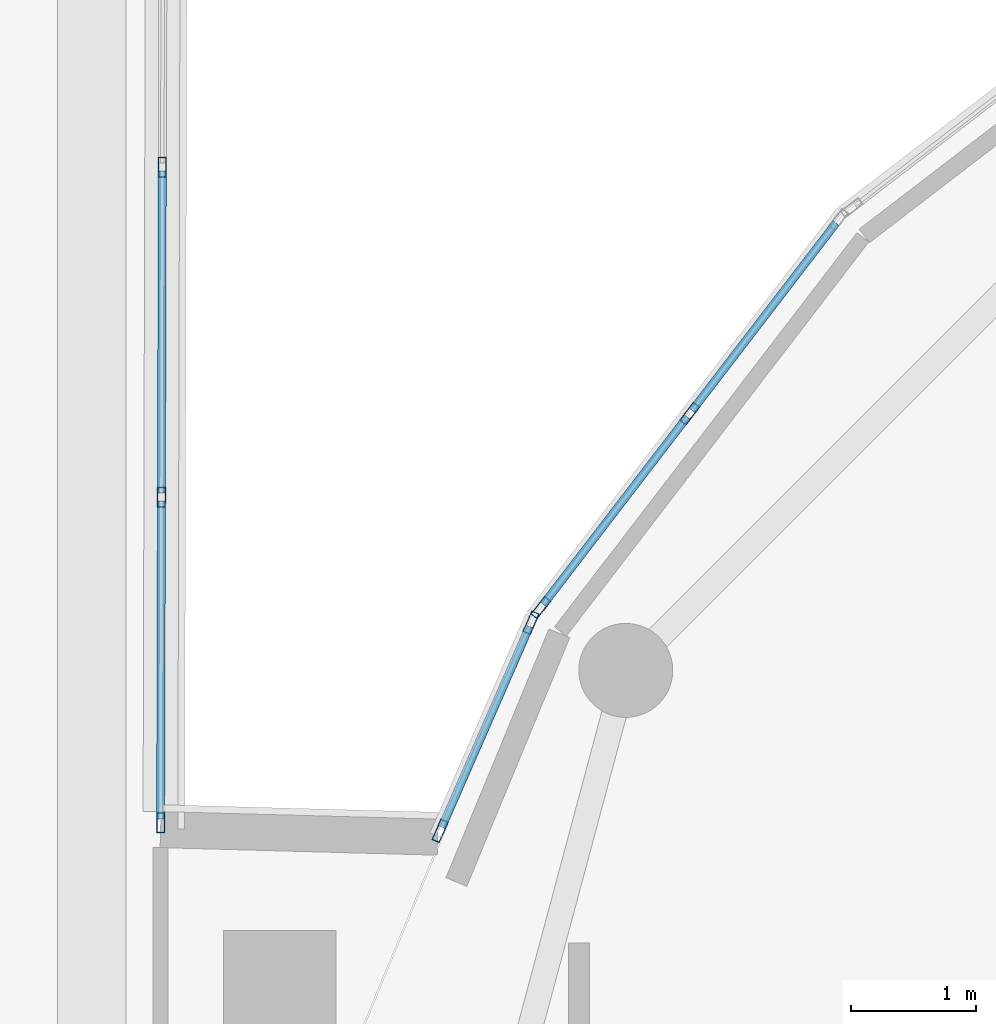
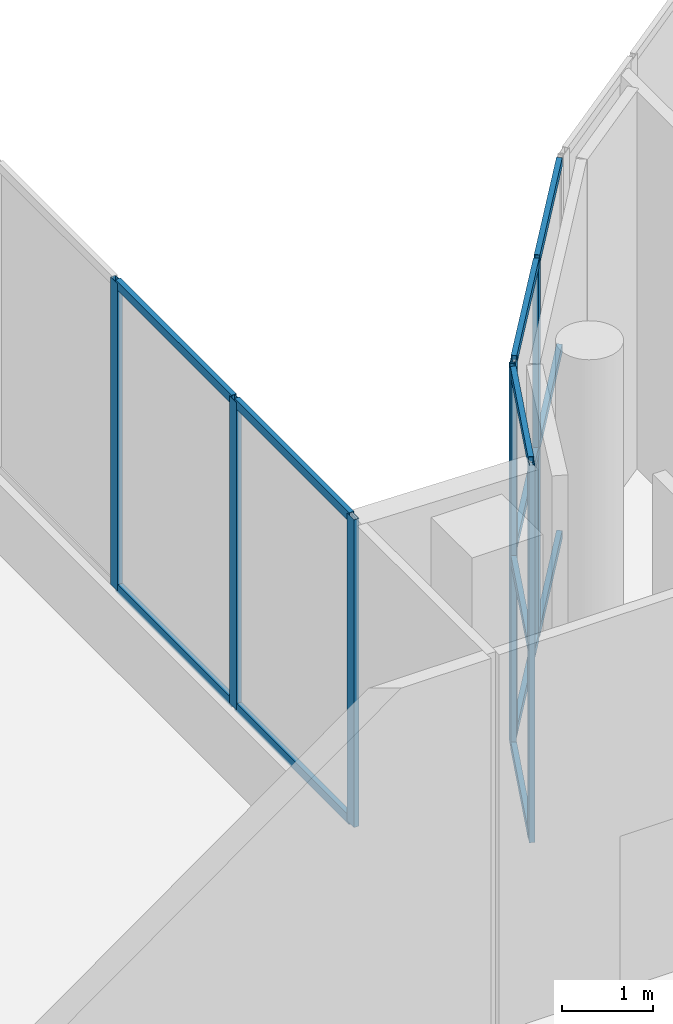
# One storey, part 56 of 158: 20 members, 3 elements without a shape of their own.
"""IFC4 building model written with IfcOpenShell, lengths in metres."""

from ifc_helpers import new_model, si_unit, direction, frame, origin, origin_2d, place, context, subcontext, project, spatial, hollow_rectangle, extrude, material, material_profile, profile_set, type_object, element, aggregate, save


model = new_model("IFC4")

# Units and contexts
model_context = context("Model", 3, precision=1e-05, world=origin(), true_north=direction((0.0, 1.0)))
body_context = subcontext(model_context, "Body", "Model", "MODEL_VIEW")
ifc_project = project(units=[si_unit("LENGTHUNIT", "METRE"), si_unit("AREAUNIT", "SQUARE_METRE"), si_unit("VOLUMEUNIT", "CUBIC_METRE"), si_unit("PLANEANGLEUNIT", "RADIAN"), si_unit("MASSUNIT", "GRAM", prefix="KILO")], contexts=[model_context])

# Site, building, storey
site_placement = place(None, origin())
site = spatial("IfcSite", under=ifc_project, at=site_placement, CompositionType="ELEMENT")
building_placement = place(site_placement, origin())
building = spatial("IfcBuilding", under=site, at=building_placement, Name="Selatvlak General Hospital", CompositionType="ELEMENT")
storey_placement = place(building_placement, origin())
storey = spatial("IfcBuildingStorey", under=building, at=storey_placement, Name="L00", CompositionType="ELEMENT", Elevation=0.0)

# Curtain wall, members
ifc_material_1 = material(Name="Solar-control Low-E double glazing", Category="glass")
curtain_wall_type_1 = type_object("IfcCurtainWallType", Name="CW-CW-02", PredefinedType="USERDEFINED", material=ifc_material_1)
curtain_wall_1_placement = place(storey_placement, origin())
curtain_wall_1 = element("IfcCurtainWall", 1, at=curtain_wall_1_placement, inside=storey, type_object=curtain_wall_type_1, Name="Glazed facade curtain wall CW-L00-0107", ObjectType="UNITISED CURTAIN WALL", PredefinedType="USERDEFINED")
ifc_material_2 = material(Name="Dark anodised aluminium mullion", Category="aluminium")
ifc_material_profile_1 = material_profile(ifc_material_2, hollow_rectangle(XDim=0.06494140625, YDim=0.159912109375, WallThickness=0.00390625, at=origin_2d()), Name="AL-MUL 65x160x4")
ifc_profile_set_1 = profile_set([ifc_material_profile_1], Name="Dark anodised aluminium mullion")
member_type_1 = type_object("IfcMemberType", Name="CWM-01", PredefinedType="MULLION", material=ifc_profile_set_1)
member_1_placement = place(storey_placement, frame((81.61328125, 65.341552734375, 0.93994140625), z_axis=(0.0, 0.0, 1.0), x_axis=(0.999996795401, -0.002531637448, 0.0)))
member_1 = element("IfcMember", 2, at=member_1_placement, type_object=member_type_1, Name="CW-02 mullion 2", PredefinedType="MULLION", context=body_context, shape_type="SweptSolid", body=[
    extrude(hollow_rectangle(XDim=0.06494140625, YDim=0.159912109375, WallThickness=0.00390625, at=origin_2d()), origin(), (0.0, 0.0, 1.0), 4.14013671875),
])
member_2_placement = place(storey_placement, frame((81.606689453125, 62.708251953125, 0.93994140625), z_axis=(0.0, 0.0, 1.0), x_axis=(0.999996795401, -0.002531637448, 0.0)))
member_2 = element("IfcMember", 3, at=member_2_placement, type_object=member_type_1, Name="CW-02 mullion 3", PredefinedType="MULLION", context=body_context, shape_type="SweptSolid", body=[
    extrude(hollow_rectangle(XDim=0.06494140625, YDim=0.159912109375, WallThickness=0.00390625, at=origin_2d()), origin(), (0.0, 0.0, 1.0), 4.14013671875),
])
member_3_placement = place(storey_placement, frame((81.60009765625, 60.107421875, 0.93994140625), z_axis=(0.0, 0.0, 1.0), x_axis=(0.999996795401, -0.002531637448, 0.0)))
member_3 = element("IfcMember", 4, at=member_3_placement, type_object=member_type_1, Name="CW-02 mullion 4", PredefinedType="MULLION", context=body_context, shape_type="SweptSolid", body=[
    extrude(hollow_rectangle(XDim=0.06494140625, YDim=0.159912109375, WallThickness=0.00390625, at=origin_2d()), origin(), (0.0, 0.0, 1.0), 4.14013671875),
])

curtain_wall_type_2 = type_object("IfcCurtainWallType", Name="CW-CW-05", PredefinedType="USERDEFINED", material=ifc_material_1)
curtain_wall_2_placement = place(storey_placement, origin())
curtain_wall_2 = element("IfcCurtainWall", 5, at=curtain_wall_2_placement, inside=storey, type_object=curtain_wall_type_2, Name="Glazed facade curtain wall CW-L00-0094", ObjectType="STICK GLAZING WALL", PredefinedType="USERDEFINED")
ifc_material_profile_2 = material_profile(ifc_material_2, hollow_rectangle(XDim=0.06494140625, YDim=0.179931640625, WallThickness=0.00439453125, at=origin_2d()), Name="AL-MUL 65x180x4.5")
ifc_profile_set_2 = profile_set([ifc_material_profile_2], Name="Dark anodised aluminium mullion")
member_type_2 = type_object("IfcMemberType", Name="CWM-02", PredefinedType="MULLION", material=ifc_profile_set_2)
member_4_placement = place(storey_placement, frame((83.8310546875, 60.043701171875, 0.0), z_axis=(0.0, 0.0, 1.0), x_axis=(-0.916340540379, 0.400399817754, 0.0)))
member_4 = element("IfcMember", 6, at=member_4_placement, type_object=member_type_2, Name="CW-05 mullion 1", PredefinedType="MULLION", context=body_context, shape_type="SweptSolid", body=[
    extrude(hollow_rectangle(XDim=0.06494140625, YDim=0.179931640625, WallThickness=0.00439453125, at=origin_2d()), origin(), (0.0, 0.0, 1.0), 5.080078125),
])
member_5_placement = place(storey_placement, frame((84.556884765625, 61.705322265625, 0.0), z_axis=(0.0, 0.0, 1.0), x_axis=(-0.916340540379, 0.400399817754, 0.0)))
member_5 = element("IfcMember", 7, at=member_5_placement, type_object=member_type_2, Name="CW-05 mullion 2", PredefinedType="MULLION", context=body_context, shape_type="SweptSolid", body=[
    extrude(hollow_rectangle(XDim=0.06494140625, YDim=0.179931640625, WallThickness=0.00439453125, at=origin_2d()), origin(), (0.0, 0.0, 1.0), 5.080078125),
])

curtain_wall_type_3 = type_object("IfcCurtainWallType", Name="CW-CW-04", PredefinedType="USERDEFINED", material=ifc_material_1)
curtain_wall_3_placement = place(storey_placement, origin())
curtain_wall_3 = element("IfcCurtainWall", 8, at=curtain_wall_3_placement, inside=storey, type_object=curtain_wall_type_3, Name="Glazed facade curtain wall CW-L00-0095", ObjectType="STICK GLAZING WALL", PredefinedType="USERDEFINED")
member_6_placement = place(storey_placement, frame((84.634765625, 61.82666015625, 0.0), z_axis=(0.0, 0.0, 1.0), x_axis=(-0.793232853917, 0.608918417743, 0.0)))
member_6 = element("IfcMember", 9, at=member_6_placement, type_object=member_type_2, Name="CW-04 mullion 1", PredefinedType="MULLION", context=body_context, shape_type="SweptSolid", body=[
    extrude(hollow_rectangle(XDim=0.06494140625, YDim=0.179931640625, WallThickness=0.00439453125, at=origin_2d()), origin(), (0.0, 0.0, 1.0), 5.080078125),
])
member_7_placement = place(storey_placement, frame((85.822509765625, 63.3740234375, 0.0), z_axis=(0.0, 0.0, 1.0), x_axis=(-0.793232853917, 0.608918417743, 0.0)))
member_7 = element("IfcMember", 10, at=member_7_placement, type_object=member_type_2, Name="CW-04 mullion 2", PredefinedType="MULLION", context=body_context, shape_type="SweptSolid", body=[
    extrude(hollow_rectangle(XDim=0.06494140625, YDim=0.179931640625, WallThickness=0.00439453125, at=origin_2d()), origin(), (0.0, 0.0, 1.0), 5.080078125),
])

# Member
ifc_material_profile_3 = material_profile(ifc_material_2, hollow_rectangle(XDim=0.06494140625, YDim=0.1201171875, WallThickness=0.00390625, at=origin_2d()), Name="AL-TRN 65x120x4")
ifc_profile_set_3 = profile_set([ifc_material_profile_3], Name="Dark anodised aluminium mullion")
member_type_3 = type_object("IfcMemberType", Name="CWT-01", PredefinedType="USERDEFINED", material=ifc_profile_set_3)
member_8_placement = place(storey_placement, frame((83.843994140625, 60.073486328125, 0.032470703125), z_axis=(0.400364592427, 0.916355931465, 0.0), x_axis=(-0.916355931465, 0.400364592427, 0.0)))
member_8 = element("IfcMember", 11, at=member_8_placement, type_object=member_type_3, Name="CW-05 transom 1.1", ObjectType="TRANSOM", PredefinedType="USERDEFINED", context=body_context, shape_type="SweptSolid", body=[
    extrude(hollow_rectangle(XDim=0.06494140625, YDim=0.1201171875, WallThickness=0.00390625, at=origin_2d()), origin(), (0.0, 0.0, 1.0), 1.748291015625),
])

member_9_placement = place(storey_placement, frame((83.843994140625, 60.073486328125, 2.5400390625), z_axis=(0.400364592427, 0.916355931465, 0.0), x_axis=(-0.916355931465, 0.400364592427, 0.0)))
member_9 = element("IfcMember", 12, at=member_9_placement, type_object=member_type_3, Name="CW-05 transom 1.2", ObjectType="TRANSOM", PredefinedType="USERDEFINED", context=body_context, shape_type="SweptSolid", body=[
    extrude(hollow_rectangle(XDim=0.06494140625, YDim=0.1201171875, WallThickness=0.00390625, at=origin_2d()), origin(), (0.0, 0.0, 1.0), 1.748291015625),
])

member_10_placement = place(storey_placement, frame((83.843994140625, 60.073486328125, 5.047607421875), z_axis=(0.400364592427, 0.916355931465, 0.0), x_axis=(-0.916355931465, 0.400364592427, 0.0)))
member_10 = element("IfcMember", 13, at=member_10_placement, type_object=member_type_3, Name="CW-05 transom 1.3", ObjectType="TRANSOM", PredefinedType="USERDEFINED", context=body_context, shape_type="SweptSolid", body=[
    extrude(hollow_rectangle(XDim=0.06494140625, YDim=0.1201171875, WallThickness=0.00390625, at=origin_2d()), origin(), (0.0, 0.0, 1.0), 1.748291015625),
])

aggregate(curtain_wall_2, [member_4, member_5, member_8, member_9, member_10])

member_11_placement = place(storey_placement, frame((84.654541015625, 61.8525390625, 0.032470703125), z_axis=(0.608953326487, 0.793206055297, 0.0), x_axis=(-0.793206055297, 0.608953326487, 0.0)))
member_11 = element("IfcMember", 14, at=member_11_placement, type_object=member_type_3, Name="CW-04 transom 1.1", ObjectType="TRANSOM", PredefinedType="USERDEFINED", context=body_context, shape_type="SweptSolid", body=[
    extrude(hollow_rectangle(XDim=0.06494140625, YDim=0.1201171875, WallThickness=0.00390625, at=origin_2d()), origin(), (0.0, 0.0, 1.0), 1.885498046875),
])

member_12_placement = place(storey_placement, frame((84.654541015625, 61.8525390625, 2.5400390625), z_axis=(0.608953326487, 0.793206055297, 0.0), x_axis=(-0.793206055297, 0.608953326487, 0.0)))
member_12 = element("IfcMember", 15, at=member_12_placement, type_object=member_type_3, Name="CW-04 transom 1.2", ObjectType="TRANSOM", PredefinedType="USERDEFINED", context=body_context, shape_type="SweptSolid", body=[
    extrude(hollow_rectangle(XDim=0.06494140625, YDim=0.1201171875, WallThickness=0.00390625, at=origin_2d()), origin(), (0.0, 0.0, 1.0), 1.885498046875),
])

member_13_placement = place(storey_placement, frame((84.654541015625, 61.8525390625, 5.047607421875), z_axis=(0.608953326487, 0.793206055297, 0.0), x_axis=(-0.793206055297, 0.608953326487, 0.0)))
member_13 = element("IfcMember", 16, at=member_13_placement, type_object=member_type_3, Name="CW-04 transom 1.3", ObjectType="TRANSOM", PredefinedType="USERDEFINED", context=body_context, shape_type="SweptSolid", body=[
    extrude(hollow_rectangle(XDim=0.06494140625, YDim=0.1201171875, WallThickness=0.00390625, at=origin_2d()), origin(), (0.0, 0.0, 1.0), 1.885498046875),
])

member_14_placement = place(storey_placement, frame((85.84228515625, 63.399658203125, 0.032470703125), z_axis=(0.608890787968, 0.793254062913, 0.0), x_axis=(-0.793254062913, 0.608890787968, 0.0)))
member_14 = element("IfcMember", 17, at=member_14_placement, type_object=member_type_3, Name="CW-04 transom 2.1", ObjectType="TRANSOM", PredefinedType="USERDEFINED", context=body_context, shape_type="SweptSolid", body=[
    extrude(hollow_rectangle(XDim=0.06494140625, YDim=0.1201171875, WallThickness=0.00390625, at=origin_2d()), origin(), (0.0, 0.0, 1.0), 1.8857421875),
])

member_15_placement = place(storey_placement, frame((85.84228515625, 63.399658203125, 2.5400390625), z_axis=(0.608890787968, 0.793254062913, 0.0), x_axis=(-0.793254062913, 0.608890787968, 0.0)))
member_15 = element("IfcMember", 18, at=member_15_placement, type_object=member_type_3, Name="CW-04 transom 2.2", ObjectType="TRANSOM", PredefinedType="USERDEFINED", context=body_context, shape_type="SweptSolid", body=[
    extrude(hollow_rectangle(XDim=0.06494140625, YDim=0.1201171875, WallThickness=0.00390625, at=origin_2d()), origin(), (0.0, 0.0, 1.0), 1.8857421875),
])

member_16_placement = place(storey_placement, frame((85.84228515625, 63.399658203125, 5.047607421875), z_axis=(0.608890787968, 0.793254062913, 0.0), x_axis=(-0.793254062913, 0.608890787968, 0.0)))
member_16 = element("IfcMember", 19, at=member_16_placement, type_object=member_type_3, Name="CW-04 transom 2.3", ObjectType="TRANSOM", PredefinedType="USERDEFINED", context=body_context, shape_type="SweptSolid", body=[
    extrude(hollow_rectangle(XDim=0.06494140625, YDim=0.1201171875, WallThickness=0.00390625, at=origin_2d()), origin(), (0.0, 0.0, 1.0), 1.8857421875),
])

aggregate(curtain_wall_3, [member_6, member_7, member_11, member_12, member_13, member_14, member_15, member_16])

member_17_placement = place(storey_placement, frame((81.61328125, 65.30908203125, 0.972412109375), z_axis=(-0.002566531471, -0.999996706453, 0.0), x_axis=(0.999996706453, -0.002566531471, 0.0)))
member_17 = element("IfcMember", 20, at=member_17_placement, type_object=member_type_3, Name="CW-02 transom 2.1", ObjectType="TRANSOM", PredefinedType="USERDEFINED", context=body_context, shape_type="SweptSolid", body=[
    extrude(hollow_rectangle(XDim=0.06494140625, YDim=0.1201171875, WallThickness=0.00390625, at=origin_2d()), origin(), (0.0, 0.0, 1.0), 2.568359375),
])

member_18_placement = place(storey_placement, frame((81.61328125, 65.30908203125, 5.047607421875), z_axis=(-0.002566531471, -0.999996706453, 0.0), x_axis=(0.999996706453, -0.002566531471, 0.0)))
member_18 = element("IfcMember", 21, at=member_18_placement, type_object=member_type_3, Name="CW-02 transom 2.2", ObjectType="TRANSOM", PredefinedType="USERDEFINED", context=body_context, shape_type="SweptSolid", body=[
    extrude(hollow_rectangle(XDim=0.06494140625, YDim=0.1201171875, WallThickness=0.00390625, at=origin_2d()), origin(), (0.0, 0.0, 1.0), 2.568359375),
])

member_19_placement = place(storey_placement, frame((81.606689453125, 62.67578125, 0.972412109375), z_axis=(-0.002599394318, -0.999996621569, 0.0), x_axis=(0.999996621569, -0.002599394318, 0.0)))
member_19 = element("IfcMember", 22, at=member_19_placement, type_object=member_type_3, Name="CW-02 transom 3.1", ObjectType="TRANSOM", PredefinedType="USERDEFINED", context=body_context, shape_type="SweptSolid", body=[
    extrude(hollow_rectangle(XDim=0.06494140625, YDim=0.1201171875, WallThickness=0.00390625, at=origin_2d()), origin(), (0.0, 0.0, 1.0), 2.535888671875),
])

member_20_placement = place(storey_placement, frame((81.606689453125, 62.67578125, 5.047607421875), z_axis=(-0.002599394318, -0.999996621569, 0.0), x_axis=(0.999996621569, -0.002599394318, 0.0)))
member_20 = element("IfcMember", 23, at=member_20_placement, type_object=member_type_3, Name="CW-02 transom 3.2", ObjectType="TRANSOM", PredefinedType="USERDEFINED", context=body_context, shape_type="SweptSolid", body=[
    extrude(hollow_rectangle(XDim=0.06494140625, YDim=0.1201171875, WallThickness=0.00390625, at=origin_2d()), origin(), (0.0, 0.0, 1.0), 2.535888671875),
])

aggregate(curtain_wall_1, [member_1, member_2, member_3, member_17, member_18, member_19, member_20])

save(model, "model.ifc")
